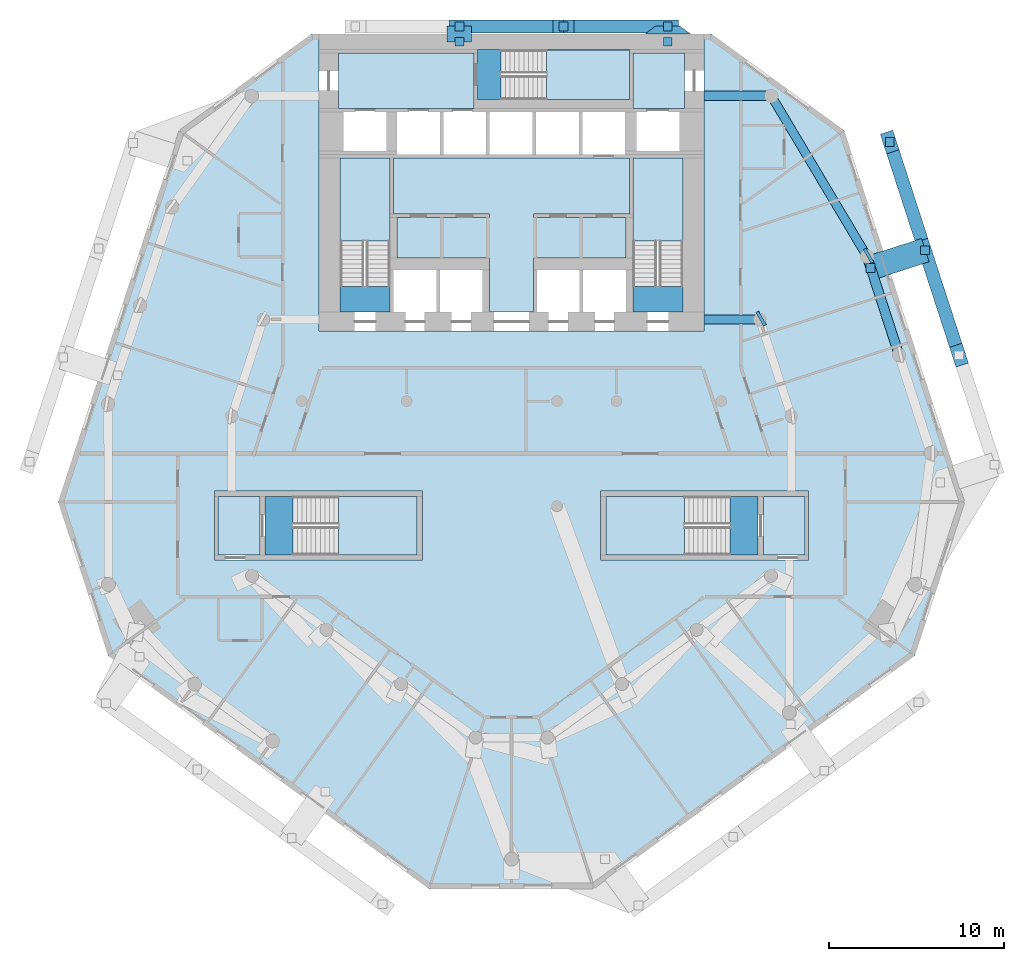
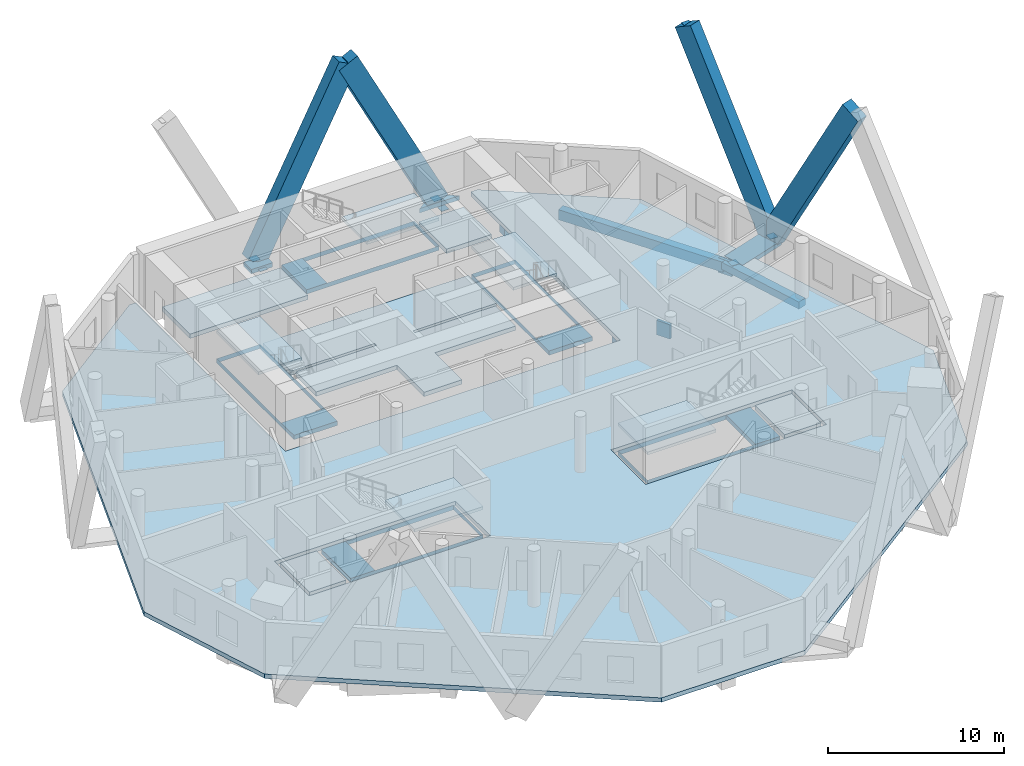
# One storey, part 3 of 11: 16 slabs, 8 discrete accessories, 7 members, 6 beams, 5 elements without a shape of their own.
"""IFC4 building model written with IfcOpenShell, lengths in metres."""

from ifc_helpers import new_model, si_unit, direction, frame, origin, origin_2d, place, context, subcontext, project, spatial, polyline, rectangle, outline, extrude, material, layer, layer_set, material_profile, profile_set, type_object, element, aggregate, save


model = new_model("IFC4")

# Units and contexts
model_context = context("Model", 3, precision=1e-05, world=origin(), true_north=direction((0.0, 1.0)))
body_context = subcontext(model_context, "Body", "Model", "MODEL_VIEW")
ifc_project = project(units=[si_unit("LENGTHUNIT", "METRE"), si_unit("AREAUNIT", "SQUARE_METRE"), si_unit("VOLUMEUNIT", "CUBIC_METRE"), si_unit("PLANEANGLEUNIT", "RADIAN"), si_unit("MASSUNIT", "GRAM", prefix="KILO")], contexts=[model_context])

# Site, building, storey
site_placement = place(None, origin())
site = spatial("IfcSite", under=ifc_project, at=site_placement, CompositionType="ELEMENT")
building_placement = place(site_placement, origin())
building = spatial("IfcBuilding", under=site, at=building_placement, Name="White Candle Pilgrim Tower", CompositionType="ELEMENT")
storey_placement = place(building_placement, frame((0.0, 0.0, 90.800048828125)))
storey = spatial("IfcBuildingStorey", under=building, at=storey_placement, Name="L19", CompositionType="ELEMENT", Elevation=90.800048828125)

# Member
ifc_material_1 = material(Name="Concrete C80/95, white", Category="concrete")
ifc_material_profile_1 = material_profile(ifc_material_1, rectangle(XDim=0.75, YDim=1.35009765625, at=origin_2d()), Name="RC-DG 750x1350")
ifc_profile_set_1 = profile_set([ifc_material_profile_1], Name="Concrete C80/95, white")
member_type_1 = type_object("IfcMemberType", Name="Exoskeleton diagonal RC-DG 750x1350 C80/95", PredefinedType="BRACE", material=ifc_profile_set_1)
member_1_placement = place(storey_placement, frame((78.93701171875, 88.425048828125, 0.0), z_axis=(-0.453783992732, 0.0, 0.891111714624), x_axis=(0.0, -1.0, 0.0)))
member_1 = element("IfcMember", 1, at=member_1_placement, inside=storey, type_object=member_type_1, Name="Exoskeleton diagonal EX061", PredefinedType="BRACE", context=body_context, shape_type="SweptSolid", body=[
    extrude(rectangle(XDim=0.75, YDim=1.35009765625, at=origin_2d()), origin(), (0.0, 0.0, 1.0), 13.129638671875),
])

member_2_placement = place(storey_placement, frame((67.02099609375, 88.425048828125, 0.0), z_axis=(0.453783992732, 0.0, 0.891111714624), x_axis=(0.0, 1.0, 0.0)))
member_2 = element("IfcMember", 2, at=member_2_placement, inside=storey, type_object=member_type_1, Name="Exoskeleton diagonal EX062", PredefinedType="BRACE", context=body_context, shape_type="SweptSolid", body=[
    extrude(rectangle(XDim=0.75, YDim=1.35009765625, at=origin_2d()), origin(), (0.0, 0.0, 1.0), 13.129638671875),
])

member_3_placement = place(storey_placement, frame((93.644287109375, 75.629638671875, 0.0), z_axis=(0.146701147015, -0.451526589949, 0.880115056134), x_axis=(0.951061923675, 0.309000351676, 0.0)))
member_3 = element("IfcMember", 3, at=member_3_placement, inside=storey, type_object=member_type_1, Name="Exoskeleton diagonal EX074", PredefinedType="BRACE", context=body_context, shape_type="SweptSolid", body=[
    extrude(rectangle(XDim=0.75, YDim=1.35009765625, at=origin_2d()), origin(), (0.0, 0.0, 1.0), 13.293701171875),
])

member_4_placement = place(storey_placement, frame((93.644287109375, 75.629638671875, 0.0), z_axis=(-0.150263925664, 0.462461345301, 0.873813628153), x_axis=(-0.95105583585, -0.309019088563, 0.0)))
member_4 = element("IfcMember", 4, at=member_4_placement, inside=storey, type_object=member_type_1, Name="Exoskeleton diagonal EX075", PredefinedType="BRACE", context=body_context, shape_type="SweptSolid", body=[
    extrude(rectangle(XDim=0.75, YDim=1.35009765625, at=origin_2d()), origin(), (0.0, 0.0, 1.0), 13.3896484375),
])

ifc_material_2 = material(Name="Concrete C70/85, white", Category="concrete")
ifc_layer_1 = layer(ifc_material_2, 0.300048828125)
ifc_layer_set_1 = layer_set([ifc_layer_1], Name="Node tie strut 3300x1400x300 C70/85")
member_type_2 = type_object("IfcMemberType", Name="Node tie strut 3300x1400x300 C70/85", PredefinedType="STRUT", material=ifc_layer_set_1)
member_5_placement = place(storey_placement, frame((92.098876953125, 75.12744140625, -0.30029296875), z_axis=(0.0, 0.0, 1.0), x_axis=(-0.309016994375, 0.951056516295, 0.0)))
member_5 = element("IfcMember", 5, at=member_5_placement, inside=storey, type_object=member_type_2, Name="Node tie strut NC052", PredefinedType="STRUT", context=body_context, shape_type="SweptSolid", body=[
    extrude(rectangle(XDim=1.39990234375, YDim=3.300048828125, at=origin_2d()), origin(), (0.0, 0.0, 1.0), 0.300048828125),
])

ifc_layer_2 = layer(ifc_material_2, 0.300048828125)
ifc_layer_set_2 = layer_set([ifc_layer_2], Name="Node tie strut 900x1400x300 C70/85")
member_type_3 = type_object("IfcMemberType", Name="Node tie strut 900x1400x300 C70/85", PredefinedType="STRUT", material=ifc_layer_set_2)
member_6_placement = place(storey_placement, frame((0.0, 0.0, -0.300048828125)))
member_6 = element("IfcMember", 6, at=member_6_placement, inside=storey, type_object=member_type_3, Name="Node tie strut NC053", PredefinedType="STRUT", context=body_context, shape_type="SweptSolid", body=[
    extrude(outline(polyline([(77.636962890625, 88.0), (80.237060546875, 88.0), (79.636962890625, 88.449951171875), (78.237060546875, 88.449951171875), (77.636962890625, 88.0)])), origin(), (0.0, 0.0, 1.0), 0.300048828125),
])

member_7_placement = place(storey_placement, frame((67.02099609375, 88.0, -0.30029296875), z_axis=(0.0, 0.0, 1.0), x_axis=(-1.0, 0.0, 0.0)))
member_7 = element("IfcMember", 7, at=member_7_placement, inside=storey, type_object=member_type_3, Name="Node tie strut NC054", PredefinedType="STRUT", context=body_context, shape_type="SweptSolid", body=[
    extrude(rectangle(XDim=1.39990234375, YDim=0.89990234375, at=origin_2d()), origin(), (0.0, 0.0, 1.0), 0.300048828125),
])

# Beams
ifc_material_3 = material(Name="Concrete C50/60", Category="concrete")
ifc_material_profile_2 = material_profile(ifc_material_3, rectangle(XDim=0.5, YDim=0.60009765625, at=origin_2d()), Name="RC-BM 500x600")
ifc_profile_set_2 = profile_set([ifc_material_profile_2], Name="Concrete C50/60")
beam_type_1 = type_object("IfcBeamType", Name="Ring beam RC-BM 500x600 C50/60", PredefinedType="BEAM", material=ifc_profile_set_2)
beam_1_placement = place(storey_placement, frame((84.199951171875, 71.669921875, -0.60009765625), z_axis=(-1.0, 0.0, 0.0), x_axis=(0.0, -1.0, 0.0)))
element("IfcBeam", 8, at=beam_1_placement, inside=storey, type_object=beam_type_1, Name="L19 ring beam R10", PredefinedType="BEAM", context=body_context, shape_type="SweptSolid", body=[
    extrude(rectangle(XDim=0.5, YDim=0.60009765625, at=origin_2d()), origin(), (0.0, 0.0, 1.0), 3.199951171875),
])
ifc_material_profile_3 = material_profile(ifc_material_3, rectangle(XDim=0.5, YDim=0.699951171875, at=origin_2d()), Name="RC-BM 500x700")
ifc_profile_set_3 = profile_set([ifc_material_profile_3], Name="Concrete C50/60")
beam_type_2 = type_object("IfcBeamType", Name="Spandrel beam RC-BM 500x700 C50/60", PredefinedType="BEAM", material=ifc_profile_set_3)
beam_2_placement = place(storey_placement, frame((90.340087890625, 75.27001953125, -0.650146484375), z_axis=(-0.512158423504, 0.858890999623, 0.0), x_axis=(-0.858890999623, -0.512158423504, 0.0)))
element("IfcBeam", 9, at=beam_2_placement, inside=storey, type_object=beam_type_2, Name="L19 spandrel beam T10", PredefinedType="BEAM", context=body_context, shape_type="SweptSolid", body=[
    extrude(rectangle(XDim=0.5, YDim=0.699951171875, at=origin_2d()), origin(), (0.0, 0.0, 1.0), 10.69970703125),
])
ifc_material_profile_4 = material_profile(ifc_material_3, rectangle(XDim=0.550048828125, YDim=0.5, at=origin_2d()), Name="RC-BM 550x500")
ifc_profile_set_4 = profile_set([ifc_material_profile_4], Name="Concrete C50/60")
beam_type_3 = type_object("IfcBeamType", Name="Spandrel beam RC-BM 550x500 C50/60", PredefinedType="BEAM", material=ifc_profile_set_4)
beam_3_placement = place(storey_placement, frame((92.159912109375, 69.64990234375, -0.550048828125), z_axis=(-0.308057951523, 0.951367593784, 0.0), x_axis=(-0.951367593784, -0.308057951523, 0.0)))
element("IfcBeam", 10, at=beam_3_placement, inside=storey, type_object=beam_type_3, Name="L19 spandrel beam T09", PredefinedType="BEAM", context=body_context, shape_type="SweptSolid", body=[
    extrude(rectangle(XDim=0.550048828125, YDim=0.5, at=origin_2d()), origin(), (0.0, 0.0, 1.0), 5.907470703125),
])
beam_4_placement = place(storey_placement, frame((84.860107421875, 84.4599609375, -0.550048828125), z_axis=(-1.0, 0.0, 0.0), x_axis=(0.0, -1.0, 0.0)))
element("IfcBeam", 11, at=beam_4_placement, inside=storey, type_object=beam_type_3, Name="L19 spandrel beam T11", PredefinedType="BEAM", context=body_context, shape_type="SweptSolid", body=[
    extrude(rectangle(XDim=0.550048828125, YDim=0.5, at=origin_2d()), origin(), (0.0, 0.0, 1.0), 3.860107421875),
])
ifc_material_profile_5 = material_profile(ifc_material_3, rectangle(XDim=0.89990234375, YDim=1.0, at=origin_2d()), Name="RC-BM 900x1000")
ifc_profile_set_5 = profile_set([ifc_material_profile_5], Name="Concrete C50/60")
beam_type_4 = type_object("IfcBeamType", Name="Transfer girder RC-BM 900x1000 C50/60", PredefinedType="BEAM", material=ifc_profile_set_5)
beam_5_placement = place(storey_placement, frame((90.5, 75.360107421875, -0.800048828125), z_axis=(-0.871255639442, -0.490829512907, 0.0), x_axis=(0.490829512907, -0.871255639442, 0.0)))
element("IfcBeam", 12, at=beam_5_placement, inside=storey, type_object=beam_type_4, Name="L19 transfer girder X35", PredefinedType="BEAM", context=body_context, shape_type="SweptSolid", body=[
    extrude(rectangle(XDim=0.89990234375, YDim=1.0, at=origin_2d()), origin(), (0.0, 0.0, 1.0), 0.18359375),
])
beam_6_placement = place(storey_placement, frame((84.360107421875, 71.760009765625, -0.800048828125), z_axis=(-0.871575537125, -0.490261239633, 0.0), x_axis=(0.490261239633, -0.871575537125, 0.0)))
element("IfcBeam", 13, at=beam_6_placement, inside=storey, type_object=beam_type_4, Name="L19 transfer girder X36", PredefinedType="BEAM", context=body_context, shape_type="SweptSolid", body=[
    extrude(rectangle(XDim=0.89990234375, YDim=1.0, at=origin_2d()), origin(), (0.0, 0.0, 1.0), 0.183837890625),
])

# Slabs
ifc_material_4 = material(Name="Concrete C40/50", Category="concrete")
ifc_layer_3 = layer(ifc_material_4, 0.300048828125)
ifc_layer_set_3 = layer_set([ifc_layer_3], Name="Core floor slab 300 mm Concrete C40/50")
slab_type_1 = type_object("IfcSlabType", Name="Core floor slab 300 mm Concrete C40/50", PredefinedType="FLOOR", material=ifc_layer_set_3)
slab_1_placement = place(storey_placement, frame((0.0, 0.0, -0.300048828125)))
element("IfcSlab", 14, at=slab_1_placement, inside=storey, type_object=slab_type_1, Name="CF-L19-01", PredefinedType="FLOOR", context=body_context, shape_type="SweptSolid", body=[
    extrude(outline(polyline([(55.60009765625, 58.199951171875), (53.199951171875, 58.199951171875), (53.199951171875, 61.550048828125), (55.60009765625, 61.550048828125), (55.60009765625, 58.199951171875)])), origin(), (0.0, 0.0, 1.0), 0.300048828125),
])
slab_2_placement = place(storey_placement, frame((0.0, 0.0, -0.300048828125)))
element("IfcSlab", 15, at=slab_2_placement, inside=storey, type_object=slab_type_1, Name="CF-L19-02", PredefinedType="FLOOR", context=body_context, shape_type="SweptSolid", body=[
    extrude(outline(polyline([(55.89990234375, 58.199951171875), (55.89990234375, 61.550048828125), (64.60009765625, 61.550048828125), (64.60009765625, 58.199951171875), (55.89990234375, 58.199951171875)]), holes=[polyline([(57.501953125, 61.548095703125), (57.501953125, 58.201904296875), (64.597900390625, 58.201904296875), (64.597900390625, 61.548095703125), (57.501953125, 61.548095703125)])]), origin(), (0.0, 0.0, 1.0), 0.300048828125),
])
slab_3_placement = place(storey_placement, frame((0.0, 0.0, -0.300048828125)))
element("IfcSlab", 16, at=slab_3_placement, inside=storey, type_object=slab_type_1, Name="CF-L19-03", PredefinedType="FLOOR", context=body_context, shape_type="SweptSolid", body=[
    extrude(outline(polyline([(75.39990234375, 58.199951171875), (75.39990234375, 61.550048828125), (84.10009765625, 61.550048828125), (84.10009765625, 58.199951171875), (75.39990234375, 58.199951171875)]), holes=[polyline([(82.498046875, 58.201904296875), (82.498046875, 61.548095703125), (75.402099609375, 61.548095703125), (75.402099609375, 58.201904296875), (82.498046875, 58.201904296875)])]), origin(), (0.0, 0.0, 1.0), 0.300048828125),
])
slab_4_placement = place(storey_placement, frame((0.0, 0.0, -0.300048828125)))
element("IfcSlab", 17, at=slab_4_placement, inside=storey, type_object=slab_type_1, Name="CF-L19-04", PredefinedType="FLOOR", context=body_context, shape_type="SweptSolid", body=[
    extrude(outline(polyline([(86.800048828125, 58.199951171875), (84.39990234375, 58.199951171875), (84.39990234375, 61.550048828125), (86.800048828125, 61.550048828125), (86.800048828125, 58.199951171875)])), origin(), (0.0, 0.0, 1.0), 0.300048828125),
])
slab_5_placement = place(storey_placement, frame((0.0, 0.0, -0.300048828125)))
element("IfcSlab", 18, at=slab_5_placement, inside=storey, type_object=slab_type_1, Name="CF-L19-05", PredefinedType="FLOOR", context=body_context, shape_type="SweptSolid", body=[
    extrude(outline(polyline([(76.75, 87.10009765625), (76.75, 86.89990234375), (76.75, 84.25), (68.050048828125, 84.25), (68.050048828125, 86.89990234375), (68.050048828125, 87.10009765625), (76.75, 87.10009765625)]), holes=[polyline([(69.402099609375, 87.097900390625), (69.402099609375, 84.251953125), (76.748046875, 84.251953125), (76.748046875, 87.097900390625), (69.402099609375, 87.097900390625)])]), origin(), (0.0, 0.0, 1.0), 0.300048828125),
])
slab_6_placement = place(storey_placement, frame((0.0, 0.0, -0.300048828125)))
element("IfcSlab", 19, at=slab_6_placement, inside=storey, type_object=slab_type_1, Name="CF-L19-06", PredefinedType="FLOOR", context=body_context, shape_type="SweptSolid", body=[
    extrude(outline(polyline([(79.89990234375, 86.89990234375), (79.89990234375, 83.75), (76.949951171875, 83.75), (76.949951171875, 84.25), (76.949951171875, 86.89990234375), (79.89990234375, 86.89990234375)])), origin(), (0.0, 0.0, 1.0), 0.300048828125),
])
slab_7_placement = place(storey_placement, frame((0.0, 0.0, -0.300048828125)))
element("IfcSlab", 20, at=slab_7_placement, inside=storey, type_object=slab_type_1, Name="CF-L19-07", PredefinedType="FLOOR", context=body_context, shape_type="SweptSolid", body=[
    extrude(outline(polyline([(76.949951171875, 72.10009765625), (76.949951171875, 74.5), (76.949951171875, 75.199951171875), (76.949951171875, 77.5), (76.949951171875, 77.699951171875), (76.949951171875, 80.89990234375), (79.800048828125, 80.89990234375), (79.800048828125, 72.10009765625), (76.949951171875, 72.10009765625)]), holes=[polyline([(76.951904296875, 73.552001953125), (79.798095703125, 73.552001953125), (79.798095703125, 80.89794921875), (76.951904296875, 80.89794921875), (76.951904296875, 73.552001953125)])]), origin(), (0.0, 0.0, 1.0), 0.300048828125),
])
slab_8_placement = place(storey_placement, frame((0.0, 0.0, -0.300048828125)))
element("IfcSlab", 21, at=slab_8_placement, inside=storey, type_object=slab_type_1, Name="CF-L19-08", PredefinedType="FLOOR", context=body_context, shape_type="SweptSolid", body=[
    extrude(outline(polyline([(68.75, 72.10009765625), (68.75, 74.5), (68.75, 75.199951171875), (63.449951171875, 75.199951171875), (63.449951171875, 77.5), (68.75, 77.5), (68.75, 77.699951171875), (63.25, 77.699951171875), (63.25, 80.89990234375), (76.75, 80.89990234375), (76.75, 77.699951171875), (71.25, 77.699951171875), (71.25, 77.5), (76.550048828125, 77.5), (76.550048828125, 75.199951171875), (71.25, 75.199951171875), (71.25, 74.5), (71.25, 72.10009765625), (68.75, 72.10009765625)])), origin(), (0.0, 0.0, 1.0), 0.300048828125),
])
slab_9_placement = place(storey_placement, frame((0.0, 0.0, -0.300048828125)))
element("IfcSlab", 22, at=slab_9_placement, inside=storey, type_object=slab_type_1, Name="CF-L19-09", PredefinedType="FLOOR", context=body_context, shape_type="SweptSolid", body=[
    extrude(outline(polyline([(60.199951171875, 72.10009765625), (60.199951171875, 80.89990234375), (63.050048828125, 80.89990234375), (63.050048828125, 77.699951171875), (63.050048828125, 77.5), (63.050048828125, 75.199951171875), (63.050048828125, 74.5), (63.050048828125, 72.10009765625), (60.199951171875, 72.10009765625)]), holes=[polyline([(60.201904296875, 73.552001953125), (63.048095703125, 73.552001953125), (63.048095703125, 80.89794921875), (60.201904296875, 80.89794921875), (60.201904296875, 73.552001953125)])]), origin(), (0.0, 0.0, 1.0), 0.300048828125),
])
slab_10_placement = place(storey_placement, frame((0.0, 0.0, -0.300048828125)))
element("IfcSlab", 23, at=slab_10_placement, inside=storey, type_object=slab_type_1, Name="CF-L19-10", PredefinedType="FLOOR", context=body_context, shape_type="SweptSolid", body=[
    extrude(outline(polyline([(60.10009765625, 86.89990234375), (67.85009765625, 86.89990234375), (67.85009765625, 84.25), (67.85009765625, 83.75), (60.10009765625, 83.75), (60.10009765625, 86.89990234375)])), origin(), (0.0, 0.0, 1.0), 0.300048828125),
])
ifc_layer_4 = layer(ifc_material_4, 0.300048828125)
ifc_layer_set_4 = layer_set([ifc_layer_4], Name="Floor slab 300 REI 240")
slab_type_2 = type_object("IfcSlabType", Name="Floor slab 300 REI 240", PredefinedType="FLOOR", material=ifc_layer_set_4)
slab_11_placement = place(storey_placement, frame((0.0, 0.0, -0.300048828125)))
element("IfcSlab", 24, at=slab_11_placement, inside=storey, type_object=slab_type_2, Name="L19 floor slab", PredefinedType="FLOOR", context=body_context, shape_type="SweptSolid", body=[
    extrude(outline(polyline([(65.285400390625, 39.104248046875), (74.714599609375, 39.104248046875), (93.075927734375, 52.444580078125), (95.9306640625, 61.230712890625), (89.023681640625, 82.48779296875), (81.43701171875, 88.0), (81.0, 88.0), (81.0, 71.0), (59.0, 71.0), (59.0, 88.0), (58.56298828125, 88.0), (50.976318359375, 82.48779296875), (44.0693359375, 61.230712890625), (46.924072265625, 52.444580078125), (65.285400390625, 39.104248046875)]), holes=[polyline([(53.0, 57.89990234375), (53.0, 61.85009765625), (64.89990234375, 61.85009765625), (64.89990234375, 57.89990234375), (53.0, 57.89990234375)]), polyline([(75.10009765625, 57.89990234375), (75.10009765625, 61.85009765625), (87.0, 61.85009765625), (87.0, 57.89990234375), (75.10009765625, 57.89990234375)])]), origin(), (0.0, 0.0, 1.0), 0.300048828125),
])

# Stair, slab
stair_type_1 = type_object("IfcStairType", Name="Exit stair 1 flight width 1350 mm", PredefinedType="HALF_TURN_STAIR", material=ifc_material_4)
stair_1_placement = place(storey_placement, origin())
stair_1 = element("IfcStair", 25, at=stair_1_placement, inside=storey, type_object=stair_type_1, Name="L19 stair 1", PredefinedType="NOTDEFINED")
ifc_layer_5 = layer(ifc_material_4, 0.199951171875)
ifc_layer_set_5 = layer_set([ifc_layer_5], Name="Stair landing Concrete C40/50")
slab_type_3 = type_object("IfcSlabType", Name="Stair landing Concrete C40/50", PredefinedType="LANDING", material=ifc_layer_set_5)
slab_12_placement = place(storey_placement, frame((0.0, 0.0, 1.75)))
slab_12 = element("IfcSlab", 26, at=slab_12_placement, type_object=slab_type_3, Name="ST1 landing 1", PredefinedType="LANDING", context=body_context, shape_type="SweptSolid", body=[
    extrude(outline(polyline([(63.052001953125, 76.14794921875), (60.197998046875, 76.14794921875), (60.197998046875, 80.902099609375), (63.052001953125, 80.902099609375), (63.052001953125, 76.14794921875)])), origin(), (0.0, 0.0, 1.0), 0.199951171875),
])
aggregate(stair_1, [slab_12])

stair_type_2 = type_object("IfcStairType", Name="Exit stair 2 flight width 1350 mm", PredefinedType="HALF_TURN_STAIR", material=ifc_material_4)
stair_2_placement = place(storey_placement, origin())
stair_2 = element("IfcStair", 27, at=stair_2_placement, inside=storey, type_object=stair_type_2, Name="L19 stair 2", PredefinedType="NOTDEFINED")
slab_13_placement = place(storey_placement, frame((0.0, 0.0, 1.75)))
slab_13 = element("IfcSlab", 28, at=slab_13_placement, type_object=slab_type_3, Name="ST2 landing 1", PredefinedType="LANDING", context=body_context, shape_type="SweptSolid", body=[
    extrude(outline(polyline([(79.802001953125, 76.14794921875), (76.947998046875, 76.14794921875), (76.947998046875, 80.902099609375), (79.802001953125, 80.902099609375), (79.802001953125, 76.14794921875)])), origin(), (0.0, 0.0, 1.0), 0.199951171875),
])
aggregate(stair_2, [slab_13])

stair_type_3 = type_object("IfcStairType", Name="Exit stair 3 flight width 1350 mm", PredefinedType="HALF_TURN_STAIR", material=ifc_material_4)
stair_3_placement = place(storey_placement, origin())
stair_3 = element("IfcStair", 29, at=stair_3_placement, inside=storey, type_object=stair_type_3, Name="L19 stair 3", PredefinedType="NOTDEFINED")
slab_14_placement = place(storey_placement, frame((0.0, 0.0, 1.75)))
slab_14 = element("IfcSlab", 30, at=slab_14_placement, type_object=slab_type_3, Name="ST3 landing 1", PredefinedType="LANDING", context=body_context, shape_type="SweptSolid", body=[
    extrude(outline(polyline([(71.998046875, 84.248046875), (71.998046875, 87.10205078125), (76.751953125, 87.10205078125), (76.751953125, 84.248046875), (71.998046875, 84.248046875)])), origin(), (0.0, 0.0, 1.0), 0.199951171875),
])
aggregate(stair_3, [slab_14])

stair_type_4 = type_object("IfcStairType", Name="Exit stair 4 flight width 1600 mm", PredefinedType="HALF_TURN_STAIR", material=ifc_material_4)
stair_4_placement = place(storey_placement, origin())
stair_4 = element("IfcStair", 31, at=stair_4_placement, inside=storey, type_object=stair_type_4, Name="L19 stair 4", PredefinedType="NOTDEFINED")
slab_15_placement = place(storey_placement, frame((0.0, 0.0, 1.75)))
slab_15 = element("IfcSlab", 32, at=slab_15_placement, type_object=slab_type_3, Name="ST4 landing 1", PredefinedType="LANDING", context=body_context, shape_type="SweptSolid", body=[
    extrude(outline(polyline([(79.902099609375, 61.552001953125), (79.902099609375, 58.197998046875), (75.39794921875, 58.197998046875), (75.39794921875, 61.552001953125), (79.902099609375, 61.552001953125)])), origin(), (0.0, 0.0, 1.0), 0.199951171875),
])
aggregate(stair_4, [slab_15])

stair_type_5 = type_object("IfcStairType", Name="Exit stair 5 flight width 1600 mm", PredefinedType="HALF_TURN_STAIR", material=ifc_material_4)
stair_5_placement = place(storey_placement, origin())
stair_5 = element("IfcStair", 33, at=stair_5_placement, inside=storey, type_object=stair_type_5, Name="L19 stair 5", PredefinedType="NOTDEFINED")
slab_16_placement = place(storey_placement, frame((0.0, 0.0, 1.75)))
slab_16 = element("IfcSlab", 34, at=slab_16_placement, type_object=slab_type_3, Name="ST5 landing 1", PredefinedType="LANDING", context=body_context, shape_type="SweptSolid", body=[
    extrude(outline(polyline([(60.097900390625, 58.197998046875), (60.097900390625, 61.552001953125), (64.60205078125, 61.552001953125), (64.60205078125, 58.197998046875), (60.097900390625, 58.197998046875)])), origin(), (0.0, 0.0, 1.0), 0.199951171875),
])
aggregate(stair_5, [slab_16])

# Discrete accessory
ifc_material_5 = material(Name="Steel S355", Category="steel")
ifc_layer_6 = layer(ifc_material_5, 0.02490234375)
ifc_layer_set_6 = layer_set([ifc_layer_6], Name="Gusset plate 500x500x25 S355")
discrete_accessory_type = type_object("IfcDiscreteAccessoryType", Name="Gusset plate 500x500x25 S355", PredefinedType="BRACKET", material=ifc_layer_set_6)
discrete_accessory_1_placement = place(storey_placement, frame((78.93701171875, 88.425048828125, -0.012451171875), z_axis=(0.0, 0.0, 1.0), x_axis=(1.0, 0.0, 0.0)))
discrete_accessory_1 = element("IfcDiscreteAccessory", 35, at=discrete_accessory_1_placement, type_object=discrete_accessory_type, Name="Gusset plate 0069", PredefinedType="BRACKET", context=body_context, shape_type="SweptSolid", body=[
    extrude(rectangle(XDim=0.5, YDim=0.5, at=origin_2d()), origin(), (0.0, 0.0, 1.0), 0.02490234375),
])

placement = place(building_placement, frame((0.0, 0.0, 102.5)))
discrete_accessory_2_placement = place(placement, frame((72.97900390625, 88.425048828125, -0.012451171875), z_axis=(0.0, 0.0, 1.0), x_axis=(1.0, 0.0, 0.0)))
discrete_accessory_2 = element("IfcDiscreteAccessory", 36, at=discrete_accessory_2_placement, type_object=discrete_accessory_type, Name="Gusset plate 0070", PredefinedType="BRACKET", context=body_context, shape_type="SweptSolid", body=[
    extrude(rectangle(XDim=0.5, YDim=0.5, at=origin_2d()), origin(), (0.0, 0.0, 1.0), 0.02490234375),
])

aggregate(member_1, [discrete_accessory_1, discrete_accessory_2])

discrete_accessory_3_placement = place(storey_placement, frame((67.02099609375, 88.425048828125, -0.012451171875), z_axis=(0.0, 0.0, 1.0), x_axis=(1.0, 0.0, 0.0)))
discrete_accessory_3 = element("IfcDiscreteAccessory", 37, at=discrete_accessory_3_placement, type_object=discrete_accessory_type, Name="Gusset plate 0071", PredefinedType="BRACKET", context=body_context, shape_type="SweptSolid", body=[
    extrude(rectangle(XDim=0.5, YDim=0.5, at=origin_2d()), origin(), (0.0, 0.0, 1.0), 0.02490234375),
])

aggregate(member_2, [discrete_accessory_3])

discrete_accessory_4_placement = place(storey_placement, frame((93.644287109375, 75.629638671875, -0.012451171875), z_axis=(0.0, 0.0, 1.0), x_axis=(1.0, 0.0, 0.0)))
discrete_accessory_4 = element("IfcDiscreteAccessory", 38, at=discrete_accessory_4_placement, type_object=discrete_accessory_type, Name="Gusset plate 0081", PredefinedType="BRACKET", context=body_context, shape_type="SweptSolid", body=[
    extrude(rectangle(XDim=0.5, YDim=0.5, at=origin_2d()), origin(), (0.0, 0.0, 1.0), 0.02490234375),
])

aggregate(member_3, [discrete_accessory_4])

discrete_accessory_5_placement = place(placement, frame((91.63232421875, 81.82177734375, -0.012451171875), z_axis=(0.0, 0.0, 1.0), x_axis=(1.0, 0.0, 0.0)))
discrete_accessory_5 = element("IfcDiscreteAccessory", 39, at=discrete_accessory_5_placement, type_object=discrete_accessory_type, Name="Gusset plate 0082", PredefinedType="BRACKET", context=body_context, shape_type="SweptSolid", body=[
    extrude(rectangle(XDim=0.5, YDim=0.5, at=origin_2d()), origin(), (0.0, 0.0, 1.0), 0.02490234375),
])

aggregate(member_4, [discrete_accessory_5])

discrete_accessory_6_placement = place(storey_placement, frame((90.529541015625, 74.61767578125, -0.16259765625), z_axis=(0.0, 0.0, 1.0), x_axis=(1.0, 0.0, 0.0)))
discrete_accessory_6 = element("IfcDiscreteAccessory", 40, at=discrete_accessory_6_placement, type_object=discrete_accessory_type, Name="Gusset plate 0433", PredefinedType="BRACKET", context=body_context, shape_type="SweptSolid", body=[
    extrude(rectangle(XDim=0.5, YDim=0.5, at=origin_2d()), origin(), (0.0, 0.0, 1.0), 0.02490234375),
])

aggregate(member_5, [discrete_accessory_6])

discrete_accessory_7_placement = place(storey_placement, frame((78.93701171875, 87.550048828125, -0.16259765625), z_axis=(0.0, 0.0, 1.0), x_axis=(1.0, 0.0, 0.0)))
discrete_accessory_7 = element("IfcDiscreteAccessory", 41, at=discrete_accessory_7_placement, type_object=discrete_accessory_type, Name="Gusset plate 0434", PredefinedType="BRACKET", context=body_context, shape_type="SweptSolid", body=[
    extrude(rectangle(XDim=0.5, YDim=0.5, at=origin_2d()), origin(), (0.0, 0.0, 1.0), 0.02490234375),
])

aggregate(member_6, [discrete_accessory_7])

discrete_accessory_8_placement = place(storey_placement, frame((67.02099609375, 87.550048828125, -0.16259765625), z_axis=(0.0, 0.0, 1.0), x_axis=(1.0, 0.0, 0.0)))
discrete_accessory_8 = element("IfcDiscreteAccessory", 42, at=discrete_accessory_8_placement, type_object=discrete_accessory_type, Name="Gusset plate 0435", PredefinedType="BRACKET", context=body_context, shape_type="SweptSolid", body=[
    extrude(rectangle(XDim=0.5, YDim=0.5, at=origin_2d()), origin(), (0.0, 0.0, 1.0), 0.02490234375),
])

aggregate(member_7, [discrete_accessory_8])

save(model, "model.ifc")
